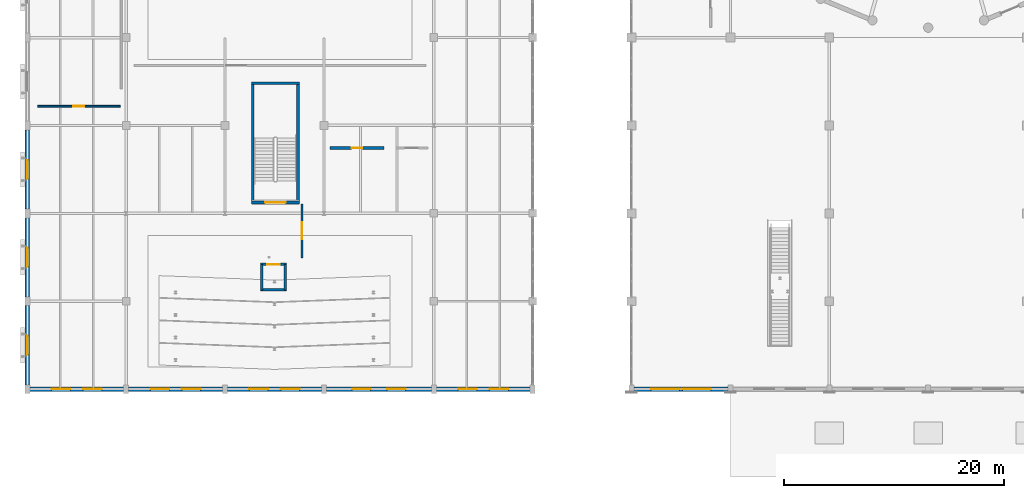
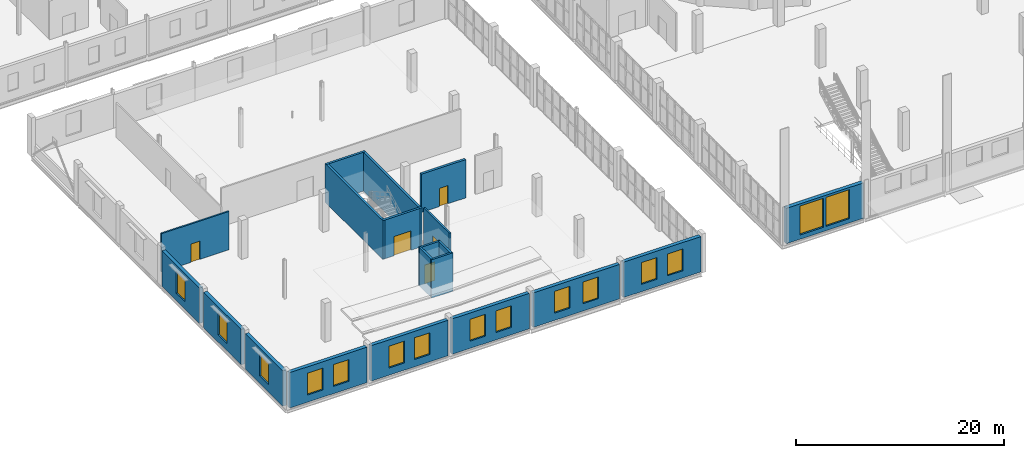
# One storey, part 68 of 93: 20 walls, 15 windows, 5 doors, 20 openings.
"""IFC4 building model written with IfcOpenShell, lengths in metres."""

import ifcopenshell
import ifcopenshell.guid

model = None  # the IFC model being written
_history = None  # IfcOwnerHistory: only IFC2X3 demands one
_inside = {}  # id of a spatial element -> (the spatial element, [elements in it])
_under = {}  # id of a project, library or spatial element -> (it, [spatial elements below it])
_declared = {}  # id of a project -> (the project, [libraries it declares])
_typed = {}  # id of a type object -> (the type object, [elements of that type])
_made_of = {}  # id of a material, layer set ... -> (it, [elements and type objects made of it])


def new_model(schema):
    """Start an empty IFC model of exactly this schema.

    Asked for "IFC4X3", IfcOpenShell would pick the latest addendum, in which some entities
    have other attributes; the version numbers below select the first issue.
    IFC2X3 requires an IfcOwnerHistory on every rooted entity: one is made here for all.
    """
    global model, _history
    if schema == "IFC4X3":
        model = ifcopenshell.file(schema_version=(4, 3, 0, 0))
    else:
        model = ifcopenshell.file(schema=schema)
    _inside.clear()
    _under.clear()
    _declared.clear()
    _typed.clear()
    _made_of.clear()
    _history = None
    if model.schema == "IFC2X3":
        org = make("IfcOrganization", Name="unknown")
        user = make(
            "IfcPersonAndOrganization",
            ThePerson=make("IfcPerson", FamilyName="unknown"),
            TheOrganization=org,
        )
        app = make(
            "IfcApplication",
            ApplicationDeveloper=org,
            Version="unknown",
            ApplicationFullName="unknown",
            ApplicationIdentifier="unknown",
        )
        _history = make(
            "IfcOwnerHistory",
            OwningUser=user,
            OwningApplication=app,
            ChangeAction="ADDED",
            CreationDate=0,
        )
    return model


def make(cls, **values):
    """One entity of the class cls with the attributes given. An attribute that is None is left unset."""
    return model.create_entity(
        cls, **{name: value for name, value in values.items() if value is not None}
    )


def rooted(cls, **values):
    """An entity with a GlobalId (a new one), such as an element, a storey or a relation."""
    return make(cls, GlobalId=ifcopenshell.guid.new(), OwnerHistory=_history, **values)


def si_unit(unit_type, name, prefix=None):
    """IfcSIUnit, for example si_unit("LENGTHUNIT", "METRE", prefix="MILLI")."""
    return make("IfcSIUnit", UnitType=unit_type, Prefix=prefix, Name=name)


def assignment(units):
    """IfcUnitAssignment: the units of a project."""
    return None if units is None else make("IfcUnitAssignment", Units=units)


def point(xyz):
    """IfcCartesianPoint."""
    return None if xyz is None else make("IfcCartesianPoint", Coordinates=xyz)


def direction(xyz):
    """IfcDirection."""
    return None if xyz is None else make("IfcDirection", DirectionRatios=xyz)


def frame(location, z_axis=None, x_axis=None):
    """IfcAxis2Placement3D, a coordinate frame: its origin and axes. An axis left out is left unset."""
    return make(
        "IfcAxis2Placement3D",
        Location=point(location),
        Axis=direction(z_axis),
        RefDirection=direction(x_axis),
    )


def frame_2d(location, x_axis=None):
    """IfcAxis2Placement2D, a coordinate frame in the plane: its origin and x axis."""
    return make(
        "IfcAxis2Placement2D", Location=point(location), RefDirection=direction(x_axis)
    )


def origin():
    """The frame at (0, 0, 0) with its axes left unset."""
    return frame((0.0, 0.0, 0.0))


def place(relative_to, where):
    """IfcLocalPlacement: puts the frame where relative to a parent placement (None: the world)."""
    return make(
        "IfcLocalPlacement", PlacementRelTo=relative_to, RelativePlacement=where
    )


def context(
    kind, dimensions, precision=None, world=None, true_north=None, identifier=None
):
    """IfcGeometricRepresentationContext, for example the 3D "Model" context."""
    return make(
        "IfcGeometricRepresentationContext",
        ContextIdentifier=identifier,
        ContextType=kind,
        CoordinateSpaceDimension=dimensions,
        Precision=precision,
        WorldCoordinateSystem=world,
        TrueNorth=true_north,
    )


def subcontext(parent, identifier, kind, view, scale=None):
    """IfcGeometricRepresentationSubContext, for example "Body" below "Model"."""
    return make(
        "IfcGeometricRepresentationSubContext",
        ContextIdentifier=identifier,
        ContextType=kind,
        ParentContext=parent,
        TargetScale=scale,
        TargetView=view,
    )


def project(units=None, contexts=None):
    """IfcProject with its units and contexts."""
    return rooted(
        "IfcProject",
        Name="project",
        RepresentationContexts=contexts,
        UnitsInContext=assignment(units),
    )


def spatial(cls, under=None, at=None, **own):
    """A site, building, storey or space (cls), placed at a placement, below another one or the project."""
    s = rooted(cls, ObjectPlacement=at, **own)
    if under is not None:
        _under.setdefault(under.id(), (under, []))[1].append(s)
    return s


def profile(cls, at=None, kind="AREA", **sizes):
    """A parametric profile (cls). Its sizes go by their IFC names, for example OverallWidth=200.0."""
    return make(cls, ProfileType=kind, Position=at, **sizes)


def rectangle(**sizes):
    """IfcRectangleProfileDef."""
    return profile("IfcRectangleProfileDef", **sizes)


def extrude(swept, where, along, depth):
    """IfcExtrudedAreaSolid: the profile swept, set in the frame where, extruded along a direction by depth."""
    return make(
        "IfcExtrudedAreaSolid",
        SweptArea=swept,
        Position=where,
        ExtrudedDirection=direction(along),
        Depth=depth,
    )


def shape(context_of_items, identifier, shape_type, items):
    """IfcShapeRepresentation: the items that make up one representation, for example the "Body"."""
    return make(
        "IfcShapeRepresentation",
        ContextOfItems=context_of_items,
        RepresentationIdentifier=identifier,
        RepresentationType=shape_type,
        Items=items,
    )


def material(Name=None, Category=None):
    """IfcMaterial."""
    return make("IfcMaterial", Name=Name, Category=Category)


def layer(
    of_material, thickness, ventilated=None, Name=None, Category=None, Priority=None
):
    """IfcMaterialLayer: one layer of a wall or slab, of a material (None: an air gap)."""
    return make(
        "IfcMaterialLayer",
        Material=of_material,
        LayerThickness=thickness,
        IsVentilated=ventilated,
        Name=Name,
        Category=Category,
        Priority=Priority,
    )


def layer_set(layers, Name=None):
    """IfcMaterialLayerSet."""
    return make("IfcMaterialLayerSet", MaterialLayers=layers, LayerSetName=Name)


def made_of(thing, what):
    """Note that an element or type object is made of a material, layer set ...; save() writes the relation."""
    if what is not None:
        _made_of.setdefault(what.id(), (what, []))[1].append(thing)
    return thing


def type_object(cls, material=None, **own):
    """A type object (cls), such as IfcWallType, which elements share."""
    return made_of(rooted(cls, **own), material)


def element(
    cls,
    number,
    at=None,
    inside=None,
    cuts=None,
    type_object=None,
    material=None,
    context=None,
    identifier="Body",
    shape_type=None,
    held_by="IfcProductDefinitionShape",
    body=None,
    shapes=None,
    **own,
):
    """One element of the class cls, such as IfcWall. Its Tag is "e" and its number.

    at: its placement. inside: the storey or other place that contains it. cuts: it is an
    opening in that element (IfcRelVoidsElement). A single representation is given by context,
    identifier, shape_type and body (its items); several are given by shapes. held_by: the class
    of the entity that holds the representations. save() writes the other relations.
    """
    e = rooted(cls, Tag="e%d" % number, ObjectPlacement=at, **own)
    if body is not None:
        shapes = [shape(context, identifier, shape_type, body)]
    if shapes is not None:
        e.Representation = make(held_by, Representations=shapes)
    if inside is not None:
        _inside.setdefault(inside.id(), (inside, []))[1].append(e)
    if cuts is not None:
        rooted(
            "IfcRelVoidsElement", RelatingBuildingElement=cuts, RelatedOpeningElement=e
        )
    if type_object is not None:
        _typed.setdefault(type_object.id(), (type_object, []))[1].append(e)
    return made_of(e, material)


def fill(opening, filler):
    """IfcRelFillsElement: the door or window that sits in an opening."""
    return rooted(
        "IfcRelFillsElement",
        RelatingOpeningElement=opening,
        RelatedBuildingElement=filler,
    )


def aggregate(whole, parts):
    """IfcRelAggregates: a whole, such as a stair, and the parts it consists of."""
    return rooted("IfcRelAggregates", RelatingObject=whole, RelatedObjects=parts)


def save(model, path):
    """Write the relations noted so far, then the file.

    IfcRelAggregates (storeys below a building ...), IfcRelContainedInSpatialStructure (elements
    in a storey), IfcRelDefinesByType, IfcRelAssociatesMaterial and IfcRelDeclares: one each for
    every whole, place, type object, material and project.
    """
    for whole, parts in _under.values():
        aggregate(whole, parts)
    for where, things in _inside.values():
        rooted(
            "IfcRelContainedInSpatialStructure",
            RelatedElements=things,
            RelatingStructure=where,
        )
    for kind, things in _typed.values():
        rooted("IfcRelDefinesByType", RelatedObjects=things, RelatingType=kind)
    for what, things in _made_of.values():
        rooted("IfcRelAssociatesMaterial", RelatedObjects=things, RelatingMaterial=what)
    for by, libraries in _declared.values():
        rooted("IfcRelDeclares", RelatingContext=by, RelatedDefinitions=libraries)
    model.write(path)


model = new_model("IFC4")

# Units and contexts
model_context = context("Model", 3, precision=1e-05, world=origin(), true_north=direction((0.0, 1.0)))
body_context = subcontext(model_context, "Body", "Model", "MODEL_VIEW")
ifc_project = project(units=[si_unit("LENGTHUNIT", "METRE"), si_unit("AREAUNIT", "SQUARE_METRE"), si_unit("VOLUMEUNIT", "CUBIC_METRE"), si_unit("PLANEANGLEUNIT", "RADIAN"), si_unit("MASSUNIT", "GRAM", prefix="KILO")], contexts=[model_context])

# Site, building, storey
site_placement = place(None, origin())
site = spatial("IfcSite", under=ifc_project, at=site_placement, CompositionType="ELEMENT")
building_placement = place(site_placement, origin())
building = spatial("IfcBuilding", under=site, at=building_placement, Name="Marnock Terrace Opera House", CompositionType="ELEMENT")
storey_placement = place(building_placement, frame((0.0, 0.0, 5.39990234375)))
storey = spatial("IfcBuildingStorey", under=building, at=storey_placement, Name="L01", CompositionType="ELEMENT", Elevation=5.39990234375)

# Wall, openings, windows
ifc_material_1 = material(Name="Basket Range sandstone ashlar masonry", Category="masonry")
ifc_layer_1 = layer(ifc_material_1, 0.389892578125)
ifc_layer_set_1 = layer_set([ifc_layer_1], Name="Basket Range sandstone ashlar masonry")
wall_type_1 = type_object("IfcWallType", Name="EW-ASHLAR-390", PredefinedType="SOLIDWALL", material=ifc_layer_set_1)
wall_1_placement = place(storey_placement, frame((0.220947265625, 8.0, 0.0), z_axis=(0.0, 0.0, 1.0), x_axis=(1.0, 0.0, 0.0)))
wall_1 = element("IfcWall", 1, at=wall_1_placement, inside=storey, type_object=wall_type_1, Name="L01 Volume 3 south sandstone wall 1", PredefinedType="SOLIDWALL", context=body_context, shape_type="SweptSolid", body=[
    extrude(rectangle(XDim=8.55810546875, YDim=0.389892578125, at=frame_2d((4.279052734375, 0.0))), origin(), (0.0, 0.0, 1.0), 4.151611328125),
])
opening_1_placement = place(wall_1_placement, frame((2.002685546875, 0.0, 0.85009765625)))
opening_1 = element("IfcOpeningElement", 2, at=opening_1_placement, cuts=wall_1, Name="Opening WT-108", PredefinedType="OPENING", context=body_context, shape_type="SweptSolid", body=[
    extrude(rectangle(XDim=1.699951171875, YDim=2.550048828125, at=frame_2d((0.85009765625, 1.27490234375))), frame((0.0, 0.204833984375, 0.0), z_axis=(0.0, -1.0, 0.0), x_axis=(1.0, 0.0, 0.0)), (0.0, 0.0, 1.0), 0.409912109375),
])
opening_2_placement = place(wall_1_placement, frame((4.855224609375, 0.0, 0.85009765625)))
opening_2 = element("IfcOpeningElement", 3, at=opening_2_placement, cuts=wall_1, Name="Opening WT-108", PredefinedType="OPENING", context=body_context, shape_type="SweptSolid", body=[
    extrude(rectangle(XDim=1.699951171875, YDim=2.550048828125, at=frame_2d((0.85009765625, 1.27490234375))), frame((0.0, 0.204833984375, 0.0), z_axis=(0.0, -1.0, 0.0), x_axis=(1.0, 0.0, 0.0)), (0.0, 0.0, 1.0), 0.409912109375),
])
ifc_material_2 = material(Name="Double-glazed acoustic low-E laminated glass", Category="glass")
window_type_1 = type_object("IfcWindowType", Name="WT-PIER-1700", PartitioningType="SINGLE_PANEL", PredefinedType="WINDOW", material=ifc_material_2)
window_1_placement = place(opening_1_placement, origin())
window_1 = element("IfcWindow", 4, at=window_1_placement, inside=storey, type_object=window_type_1, Name="L01 facade window EW-V3S-L01-1.1", OverallHeight=2.550048828125, OverallWidth=1.699951171875, PartitioningType="SINGLE_PANEL", PredefinedType="WINDOW", context=body_context, shape_type="SweptSolid", body=[
    extrude(rectangle(XDim=1.699951171875, YDim=2.550048828125, at=frame_2d((0.85009765625, 1.27490234375))), frame((0.0, 0.030029296875, 0.0), z_axis=(0.0, -1.0, 0.0), x_axis=(1.0, 0.0, 0.0)), (0.0, 0.0, 1.0), 0.06005859375),
])
fill(opening_1, window_1)
window_2_placement = place(opening_2_placement, origin())
window_2 = element("IfcWindow", 5, at=window_2_placement, inside=storey, type_object=window_type_1, Name="L01 facade window EW-V3S-L01-1.2", OverallHeight=2.550048828125, OverallWidth=1.699951171875, PartitioningType="SINGLE_PANEL", PredefinedType="WINDOW", context=body_context, shape_type="SweptSolid", body=[
    extrude(rectangle(XDim=1.699951171875, YDim=2.550048828125, at=frame_2d((0.85009765625, 1.27490234375))), frame((0.0, 0.030029296875, 0.0), z_axis=(0.0, -1.0, 0.0), x_axis=(1.0, 0.0, 0.0)), (0.0, 0.0, 1.0), 0.06005859375),
])
fill(opening_2, window_2)

wall_2_placement = place(storey_placement, frame((9.220947265625, 8.0, 0.0), z_axis=(0.0, 0.0, 1.0), x_axis=(1.0, 0.0, 0.0)))
wall_2 = element("IfcWall", 6, at=wall_2_placement, inside=storey, type_object=wall_type_1, Name="L01 Volume 3 south sandstone wall 2", PredefinedType="SOLIDWALL", context=body_context, shape_type="SweptSolid", body=[
    extrude(rectangle(XDim=8.55810546875, YDim=0.389892578125, at=frame_2d((4.279052734375, 0.0))), origin(), (0.0, 0.0, 1.0), 4.151611328125),
])
opening_3_placement = place(wall_2_placement, frame((2.002685546875, 0.0, 0.85009765625)))
opening_3 = element("IfcOpeningElement", 7, at=opening_3_placement, cuts=wall_2, Name="Opening WT-108", PredefinedType="OPENING", context=body_context, shape_type="SweptSolid", body=[
    extrude(rectangle(XDim=1.699951171875, YDim=2.550048828125, at=frame_2d((0.85009765625, 1.27490234375))), frame((0.0, 0.204833984375, 0.0), z_axis=(0.0, -1.0, 0.0), x_axis=(1.0, 0.0, 0.0)), (0.0, 0.0, 1.0), 0.409912109375),
])
opening_4_placement = place(wall_2_placement, frame((4.855224609375, 0.0, 0.85009765625)))
opening_4 = element("IfcOpeningElement", 8, at=opening_4_placement, cuts=wall_2, Name="Opening WT-108", PredefinedType="OPENING", context=body_context, shape_type="SweptSolid", body=[
    extrude(rectangle(XDim=1.699951171875, YDim=2.550048828125, at=frame_2d((0.85009765625, 1.27490234375))), frame((0.0, 0.204833984375, 0.0), z_axis=(0.0, -1.0, 0.0), x_axis=(1.0, 0.0, 0.0)), (0.0, 0.0, 1.0), 0.409912109375),
])
window_3_placement = place(opening_3_placement, origin())
window_3 = element("IfcWindow", 9, at=window_3_placement, inside=storey, type_object=window_type_1, Name="L01 facade window EW-V3S-L01-2.1", OverallHeight=2.550048828125, OverallWidth=1.699951171875, PartitioningType="SINGLE_PANEL", PredefinedType="WINDOW", context=body_context, shape_type="SweptSolid", body=[
    extrude(rectangle(XDim=1.699951171875, YDim=2.550048828125, at=frame_2d((0.85009765625, 1.27490234375))), frame((0.0, 0.030029296875, 0.0), z_axis=(0.0, -1.0, 0.0), x_axis=(1.0, 0.0, 0.0)), (0.0, 0.0, 1.0), 0.06005859375),
])
fill(opening_3, window_3)
window_4_placement = place(opening_4_placement, origin())
window_4 = element("IfcWindow", 10, at=window_4_placement, inside=storey, type_object=window_type_1, Name="L01 facade window EW-V3S-L01-2.2", OverallHeight=2.550048828125, OverallWidth=1.699951171875, PartitioningType="SINGLE_PANEL", PredefinedType="WINDOW", context=body_context, shape_type="SweptSolid", body=[
    extrude(rectangle(XDim=1.699951171875, YDim=2.550048828125, at=frame_2d((0.85009765625, 1.27490234375))), frame((0.0, 0.030029296875, 0.0), z_axis=(0.0, -1.0, 0.0), x_axis=(1.0, 0.0, 0.0)), (0.0, 0.0, 1.0), 0.06005859375),
])
fill(opening_4, window_4)

wall_3_placement = place(storey_placement, frame((18.220947265625, 8.0, 0.0), z_axis=(0.0, 0.0, 1.0), x_axis=(1.0, 0.0, 0.0)))
wall_3 = element("IfcWall", 11, at=wall_3_placement, inside=storey, type_object=wall_type_1, Name="L01 Volume 3 south sandstone wall 3", PredefinedType="SOLIDWALL", context=body_context, shape_type="SweptSolid", body=[
    extrude(rectangle(XDim=8.55810546875, YDim=0.389892578125, at=frame_2d((4.279052734375, 0.0))), origin(), (0.0, 0.0, 1.0), 4.151611328125),
])
opening_5_placement = place(wall_3_placement, frame((2.002685546875, 0.0, 0.85009765625)))
opening_5 = element("IfcOpeningElement", 12, at=opening_5_placement, cuts=wall_3, Name="Opening WT-108", PredefinedType="OPENING", context=body_context, shape_type="SweptSolid", body=[
    extrude(rectangle(XDim=1.699951171875, YDim=2.550048828125, at=frame_2d((0.85009765625, 1.27490234375))), frame((0.0, 0.204833984375, 0.0), z_axis=(0.0, -1.0, 0.0), x_axis=(1.0, 0.0, 0.0)), (0.0, 0.0, 1.0), 0.409912109375),
])
opening_6_placement = place(wall_3_placement, frame((4.855224609375, 0.0, 0.85009765625)))
opening_6 = element("IfcOpeningElement", 13, at=opening_6_placement, cuts=wall_3, Name="Opening WT-108", PredefinedType="OPENING", context=body_context, shape_type="SweptSolid", body=[
    extrude(rectangle(XDim=1.699951171875, YDim=2.550048828125, at=frame_2d((0.85009765625, 1.27490234375))), frame((0.0, 0.204833984375, 0.0), z_axis=(0.0, -1.0, 0.0), x_axis=(1.0, 0.0, 0.0)), (0.0, 0.0, 1.0), 0.409912109375),
])
window_5_placement = place(opening_5_placement, origin())
window_5 = element("IfcWindow", 14, at=window_5_placement, inside=storey, type_object=window_type_1, Name="L01 facade window EW-V3S-L01-3.1", OverallHeight=2.550048828125, OverallWidth=1.699951171875, PartitioningType="SINGLE_PANEL", PredefinedType="WINDOW", context=body_context, shape_type="SweptSolid", body=[
    extrude(rectangle(XDim=1.699951171875, YDim=2.550048828125, at=frame_2d((0.85009765625, 1.27490234375))), frame((0.0, 0.030029296875, 0.0), z_axis=(0.0, -1.0, 0.0), x_axis=(1.0, 0.0, 0.0)), (0.0, 0.0, 1.0), 0.06005859375),
])
fill(opening_5, window_5)
window_6_placement = place(opening_6_placement, origin())
window_6 = element("IfcWindow", 15, at=window_6_placement, inside=storey, type_object=window_type_1, Name="L01 facade window EW-V3S-L01-3.2", OverallHeight=2.550048828125, OverallWidth=1.699951171875, PartitioningType="SINGLE_PANEL", PredefinedType="WINDOW", context=body_context, shape_type="SweptSolid", body=[
    extrude(rectangle(XDim=1.699951171875, YDim=2.550048828125, at=frame_2d((0.85009765625, 1.27490234375))), frame((0.0, 0.030029296875, 0.0), z_axis=(0.0, -1.0, 0.0), x_axis=(1.0, 0.0, 0.0)), (0.0, 0.0, 1.0), 0.06005859375),
])
fill(opening_6, window_6)

wall_4_placement = place(storey_placement, frame((27.220947265625, 8.0, 0.0), z_axis=(0.0, 0.0, 1.0), x_axis=(1.0, 0.0, 0.0)))
wall_4 = element("IfcWall", 16, at=wall_4_placement, inside=storey, type_object=wall_type_1, Name="L01 Volume 3 south sandstone wall 4", PredefinedType="SOLIDWALL", context=body_context, shape_type="SweptSolid", body=[
    extrude(rectangle(XDim=9.55810546875, YDim=0.389892578125, at=frame_2d((4.779052734375, 0.0))), origin(), (0.0, 0.0, 1.0), 4.0498046875),
])
opening_7_placement = place(wall_4_placement, frame((2.3359375, 0.0, 0.85009765625)))
opening_7 = element("IfcOpeningElement", 17, at=opening_7_placement, cuts=wall_4, Name="Opening WT-108", PredefinedType="OPENING", context=body_context, shape_type="SweptSolid", body=[
    extrude(rectangle(XDim=1.699951171875, YDim=2.550048828125, at=frame_2d((0.85009765625, 1.27490234375))), frame((0.0, 0.204833984375, 0.0), z_axis=(0.0, -1.0, 0.0), x_axis=(1.0, 0.0, 0.0)), (0.0, 0.0, 1.0), 0.409912109375),
])
opening_8_placement = place(wall_4_placement, frame((5.52197265625, 0.0, 0.85009765625)))
opening_8 = element("IfcOpeningElement", 18, at=opening_8_placement, cuts=wall_4, Name="Opening WT-108", PredefinedType="OPENING", context=body_context, shape_type="SweptSolid", body=[
    extrude(rectangle(XDim=1.699951171875, YDim=2.550048828125, at=frame_2d((0.85009765625, 1.27490234375))), frame((0.0, 0.204833984375, 0.0), z_axis=(0.0, -1.0, 0.0), x_axis=(1.0, 0.0, 0.0)), (0.0, 0.0, 1.0), 0.409912109375),
])
window_7_placement = place(opening_7_placement, origin())
window_7 = element("IfcWindow", 19, at=window_7_placement, inside=storey, type_object=window_type_1, Name="L01 facade window EW-V3S-L01-4.1", OverallHeight=2.550048828125, OverallWidth=1.699951171875, PartitioningType="SINGLE_PANEL", PredefinedType="WINDOW", context=body_context, shape_type="SweptSolid", body=[
    extrude(rectangle(XDim=1.699951171875, YDim=2.550048828125, at=frame_2d((0.85009765625, 1.27490234375))), frame((0.0, 0.030029296875, 0.0), z_axis=(0.0, -1.0, 0.0), x_axis=(1.0, 0.0, 0.0)), (0.0, 0.0, 1.0), 0.06005859375),
])
fill(opening_7, window_7)
window_8_placement = place(opening_8_placement, origin())
window_8 = element("IfcWindow", 20, at=window_8_placement, inside=storey, type_object=window_type_1, Name="L01 facade window EW-V3S-L01-4.2", OverallHeight=2.550048828125, OverallWidth=1.699951171875, PartitioningType="SINGLE_PANEL", PredefinedType="WINDOW", context=body_context, shape_type="SweptSolid", body=[
    extrude(rectangle(XDim=1.699951171875, YDim=2.550048828125, at=frame_2d((0.85009765625, 1.27490234375))), frame((0.0, 0.030029296875, 0.0), z_axis=(0.0, -1.0, 0.0), x_axis=(1.0, 0.0, 0.0)), (0.0, 0.0, 1.0), 0.06005859375),
])
fill(opening_8, window_8)

wall_5_placement = place(storey_placement, frame((37.220947265625, 8.0, 0.0), z_axis=(0.0, 0.0, 1.0), x_axis=(1.0, 0.0, 0.0)))
wall_5 = element("IfcWall", 21, at=wall_5_placement, inside=storey, type_object=wall_type_1, Name="L01 Volume 3 south sandstone wall 5", PredefinedType="SOLIDWALL", context=body_context, shape_type="SweptSolid", body=[
    extrude(rectangle(XDim=8.55810546875, YDim=0.389892578125, at=frame_2d((4.279052734375, 0.0))), origin(), (0.0, 0.0, 1.0), 4.151611328125),
])
opening_9_placement = place(wall_5_placement, frame((2.002685546875, 0.0, 0.85009765625)))
opening_9 = element("IfcOpeningElement", 22, at=opening_9_placement, cuts=wall_5, Name="Opening WT-108", PredefinedType="OPENING", context=body_context, shape_type="SweptSolid", body=[
    extrude(rectangle(XDim=1.699951171875, YDim=2.550048828125, at=frame_2d((0.85009765625, 1.27490234375))), frame((0.0, 0.204833984375, 0.0), z_axis=(0.0, -1.0, 0.0), x_axis=(1.0, 0.0, 0.0)), (0.0, 0.0, 1.0), 0.409912109375),
])
opening_10_placement = place(wall_5_placement, frame((4.855224609375, 0.0, 0.85009765625)))
opening_10 = element("IfcOpeningElement", 23, at=opening_10_placement, cuts=wall_5, Name="Opening WT-108", PredefinedType="OPENING", context=body_context, shape_type="SweptSolid", body=[
    extrude(rectangle(XDim=1.699951171875, YDim=2.550048828125, at=frame_2d((0.85009765625, 1.27490234375))), frame((0.0, 0.204833984375, 0.0), z_axis=(0.0, -1.0, 0.0), x_axis=(1.0, 0.0, 0.0)), (0.0, 0.0, 1.0), 0.409912109375),
])
window_9_placement = place(opening_9_placement, origin())
window_9 = element("IfcWindow", 24, at=window_9_placement, inside=storey, type_object=window_type_1, Name="L01 facade window EW-V3S-L01-5.1", OverallHeight=2.550048828125, OverallWidth=1.699951171875, PartitioningType="SINGLE_PANEL", PredefinedType="WINDOW", context=body_context, shape_type="SweptSolid", body=[
    extrude(rectangle(XDim=1.699951171875, YDim=2.550048828125, at=frame_2d((0.85009765625, 1.27490234375))), frame((0.0, 0.030029296875, 0.0), z_axis=(0.0, -1.0, 0.0), x_axis=(1.0, 0.0, 0.0)), (0.0, 0.0, 1.0), 0.06005859375),
])
fill(opening_9, window_9)
window_10_placement = place(opening_10_placement, origin())
window_10 = element("IfcWindow", 25, at=window_10_placement, inside=storey, type_object=window_type_1, Name="L01 facade window EW-V3S-L01-5.2", OverallHeight=2.550048828125, OverallWidth=1.699951171875, PartitioningType="SINGLE_PANEL", PredefinedType="WINDOW", context=body_context, shape_type="SweptSolid", body=[
    extrude(rectangle(XDim=1.699951171875, YDim=2.550048828125, at=frame_2d((0.85009765625, 1.27490234375))), frame((0.0, 0.030029296875, 0.0), z_axis=(0.0, -1.0, 0.0), x_axis=(1.0, 0.0, 0.0)), (0.0, 0.0, 1.0), 0.06005859375),
])
fill(opening_10, window_10)

# Wall, opening, window
wall_6_placement = place(storey_placement, frame((0.0, 8.39599609375, 0.0), z_axis=(0.0, 0.0, 1.0), x_axis=(0.0, 1.0, 0.0)))
wall_6 = element("IfcWall", 26, at=wall_6_placement, inside=storey, type_object=wall_type_1, Name="L01 Volume 3 west sandstone wall 1", PredefinedType="SOLIDWALL", context=body_context, shape_type="SweptSolid", body=[
    extrude(rectangle(XDim=7.2080078125, YDim=0.389892578125, at=frame_2d((3.60400390625, 0.0))), origin(), (0.0, 0.0, 1.0), 4.151611328125),
])
opening_11_placement = place(wall_6_placement, frame((2.75390625, 0.0, 0.85009765625)))
opening_11 = element("IfcOpeningElement", 27, at=opening_11_placement, cuts=wall_6, Name="Opening WT-108", PredefinedType="OPENING", context=body_context, shape_type="SweptSolid", body=[
    extrude(rectangle(XDim=1.699951171875, YDim=2.550048828125, at=frame_2d((0.85009765625, 1.27490234375))), frame((0.0, 0.204833984375, 0.0), z_axis=(0.0, -1.0, 0.0), x_axis=(1.0, 0.0, 0.0)), (0.0, 0.0, 1.0), 0.409912109375),
])
window_11_placement = place(opening_11_placement, origin())
window_11 = element("IfcWindow", 28, at=window_11_placement, inside=storey, type_object=window_type_1, Name="L01 facade window EW-V3W-L01-1.1", OverallHeight=2.550048828125, OverallWidth=1.699951171875, PartitioningType="SINGLE_PANEL", PredefinedType="WINDOW", context=body_context, shape_type="SweptSolid", body=[
    extrude(rectangle(XDim=1.699951171875, YDim=2.550048828125, at=frame_2d((0.85009765625, 1.27490234375))), frame((0.0, 0.030029296875, 0.0), z_axis=(0.0, -1.0, 0.0), x_axis=(1.0, 0.0, 0.0)), (0.0, 0.0, 1.0), 0.06005859375),
])
fill(opening_11, window_11)

wall_7_placement = place(storey_placement, frame((0.0, 16.39599609375, 0.0), z_axis=(0.0, 0.0, 1.0), x_axis=(0.0, 1.0, 0.0)))
wall_7 = element("IfcWall", 29, at=wall_7_placement, inside=storey, type_object=wall_type_1, Name="L01 Volume 3 west sandstone wall 2", PredefinedType="SOLIDWALL", context=body_context, shape_type="SweptSolid", body=[
    extrude(rectangle(XDim=7.2080078125, YDim=0.389892578125, at=frame_2d((3.60400390625, 0.0))), origin(), (0.0, 0.0, 1.0), 4.151611328125),
])
opening_12_placement = place(wall_7_placement, frame((2.75390625, 0.0, 0.85009765625)))
opening_12 = element("IfcOpeningElement", 30, at=opening_12_placement, cuts=wall_7, Name="Opening WT-108", PredefinedType="OPENING", context=body_context, shape_type="SweptSolid", body=[
    extrude(rectangle(XDim=1.699951171875, YDim=2.550048828125, at=frame_2d((0.85009765625, 1.27490234375))), frame((0.0, 0.204833984375, 0.0), z_axis=(0.0, -1.0, 0.0), x_axis=(1.0, 0.0, 0.0)), (0.0, 0.0, 1.0), 0.409912109375),
])
window_12_placement = place(opening_12_placement, origin())
window_12 = element("IfcWindow", 31, at=window_12_placement, inside=storey, type_object=window_type_1, Name="L01 facade window EW-V3W-L01-2.1", OverallHeight=2.550048828125, OverallWidth=1.699951171875, PartitioningType="SINGLE_PANEL", PredefinedType="WINDOW", context=body_context, shape_type="SweptSolid", body=[
    extrude(rectangle(XDim=1.699951171875, YDim=2.550048828125, at=frame_2d((0.85009765625, 1.27490234375))), frame((0.0, 0.030029296875, 0.0), z_axis=(0.0, -1.0, 0.0), x_axis=(1.0, 0.0, 0.0)), (0.0, 0.0, 1.0), 0.06005859375),
])
fill(opening_12, window_12)

wall_8_placement = place(storey_placement, frame((0.0, 24.39599609375, 0.0), z_axis=(0.0, 0.0, 1.0), x_axis=(0.0, 1.0, 0.0)))
wall_8 = element("IfcWall", 32, at=wall_8_placement, inside=storey, type_object=wall_type_1, Name="L01 Volume 3 west sandstone wall 3", PredefinedType="SOLIDWALL", context=body_context, shape_type="SweptSolid", body=[
    extrude(rectangle(XDim=7.2080078125, YDim=0.389892578125, at=frame_2d((3.60400390625, 0.0))), origin(), (0.0, 0.0, 1.0), 4.151611328125),
])
opening_13_placement = place(wall_8_placement, frame((2.75390625, 0.0, 0.85009765625)))
opening_13 = element("IfcOpeningElement", 33, at=opening_13_placement, cuts=wall_8, Name="Opening WT-108", PredefinedType="OPENING", context=body_context, shape_type="SweptSolid", body=[
    extrude(rectangle(XDim=1.699951171875, YDim=2.550048828125, at=frame_2d((0.85009765625, 1.27490234375))), frame((0.0, 0.204833984375, 0.0), z_axis=(0.0, -1.0, 0.0), x_axis=(1.0, 0.0, 0.0)), (0.0, 0.0, 1.0), 0.409912109375),
])
window_13_placement = place(opening_13_placement, origin())
window_13 = element("IfcWindow", 34, at=window_13_placement, inside=storey, type_object=window_type_1, Name="L01 facade window EW-V3W-L01-3.1", OverallHeight=2.550048828125, OverallWidth=1.699951171875, PartitioningType="SINGLE_PANEL", PredefinedType="WINDOW", context=body_context, shape_type="SweptSolid", body=[
    extrude(rectangle(XDim=1.699951171875, YDim=2.550048828125, at=frame_2d((0.85009765625, 1.27490234375))), frame((0.0, 0.030029296875, 0.0), z_axis=(0.0, -1.0, 0.0), x_axis=(1.0, 0.0, 0.0)), (0.0, 0.0, 1.0), 0.06005859375),
])
fill(opening_13, window_13)

# Wall, openings, windows
ifc_layer_2 = layer(ifc_material_1, 0.429931640625)
ifc_layer_set_2 = layer_set([ifc_layer_2], Name="Basket Range sandstone ashlar masonry")
wall_type_2 = type_object("IfcWallType", Name="EW-ASHLAR-430", PredefinedType="SOLIDWALL", material=ifc_layer_set_2)
wall_9_placement = place(storey_placement, frame((55.220947265625, 8.0, 0.0), z_axis=(0.0, 0.0, 1.0), x_axis=(1.0, 0.0, 0.0)))
wall_9 = element("IfcWall", 35, at=wall_9_placement, inside=storey, type_object=wall_type_2, Name="L01 Grand Hall south sandstone arcade bay 1", PredefinedType="SOLIDWALL", context=body_context, shape_type="SweptSolid", body=[
    extrude(rectangle(XDim=8.55810546875, YDim=0.429931640625, at=frame_2d((4.279052734375, 0.0))), origin(), (0.0, 0.0, 1.0), 4.151611328125),
])
opening_14_placement = place(wall_9_placement, frame((1.552734375, 0.0, 0.5009765625)))
opening_14 = element("IfcOpeningElement", 36, at=opening_14_placement, cuts=wall_9, Name="Opening WT-111", PredefinedType="OPENING", context=body_context, shape_type="SweptSolid", body=[
    extrude(rectangle(XDim=2.60009765625, YDim=3.39990234375, at=frame_2d((1.300048828125, 1.699951171875))), frame((0.0, 0.224853515625, 0.0), z_axis=(0.0, -1.0, 0.0), x_axis=(1.0, 0.0, 0.0)), (0.0, 0.0, 1.0), 0.449951171875),
])
opening_15_placement = place(wall_9_placement, frame((4.4052734375, 0.0, 0.5009765625)))
opening_15 = element("IfcOpeningElement", 37, at=opening_15_placement, cuts=wall_9, Name="Opening WT-111", PredefinedType="OPENING", context=body_context, shape_type="SweptSolid", body=[
    extrude(rectangle(XDim=2.60009765625, YDim=3.39990234375, at=frame_2d((1.300048828125, 1.699951171875))), frame((0.0, 0.224853515625, 0.0), z_axis=(0.0, -1.0, 0.0), x_axis=(1.0, 0.0, 0.0)), (0.0, 0.0, 1.0), 0.449951171875),
])
window_type_2 = type_object("IfcWindowType", Name="WT-COLOSSAL-2600", PartitioningType="DOUBLE_PANEL_VERTICAL", PredefinedType="WINDOW", material=ifc_material_2)
window_14_placement = place(opening_14_placement, origin())
window_14 = element("IfcWindow", 38, at=window_14_placement, inside=storey, type_object=window_type_2, Name="L01 facade window EW-V1S-L01-1.1", OverallHeight=3.39990234375, OverallWidth=2.60009765625, PartitioningType="SINGLE_PANEL", PredefinedType="WINDOW", context=body_context, shape_type="SweptSolid", body=[
    extrude(rectangle(XDim=2.60009765625, YDim=3.39990234375, at=frame_2d((1.300048828125, 1.699951171875))), frame((0.0, 0.030029296875, 0.0), z_axis=(0.0, -1.0, 0.0), x_axis=(1.0, 0.0, 0.0)), (0.0, 0.0, 1.0), 0.06005859375),
])
fill(opening_14, window_14)
window_15_placement = place(opening_15_placement, origin())
window_15 = element("IfcWindow", 39, at=window_15_placement, inside=storey, type_object=window_type_2, Name="L01 facade window EW-V1S-L01-1.2", OverallHeight=3.39990234375, OverallWidth=2.60009765625, PartitioningType="SINGLE_PANEL", PredefinedType="WINDOW", context=body_context, shape_type="SweptSolid", body=[
    extrude(rectangle(XDim=2.60009765625, YDim=3.39990234375, at=frame_2d((1.300048828125, 1.699951171875))), frame((0.0, 0.030029296875, 0.0), z_axis=(0.0, -1.0, 0.0), x_axis=(1.0, 0.0, 0.0)), (0.0, 0.0, 1.0), 0.06005859375),
])
fill(opening_15, window_15)

# Wall, opening, door
ifc_material_3 = material(Name="Rendered acoustic concrete blockwork", Category="masonry")
ifc_layer_3 = layer(ifc_material_3, 0.175048828125)
ifc_layer_set_3 = layer_set([ifc_layer_3], Name="Rendered acoustic concrete blockwork")
wall_type_3 = type_object("IfcWallType", Name="IW-FIRE-175", PredefinedType="PARTITIONING", material=ifc_layer_set_3)
wall_10_placement = place(storey_placement, frame((25.0, 19.949951171875, 0.0), z_axis=(0.0, 0.0, 1.0), x_axis=(0.0, 1.0, 0.0)))
wall_10 = element("IfcWall", 40, at=wall_10_placement, inside=storey, type_object=wall_type_3, Name="L01 C5 fire-rated lift and stair lobby wall", PredefinedType="PARTITIONING", context=body_context, shape_type="SweptSolid", body=[
    extrude(rectangle(XDim=4.900146484375, YDim=0.175048828125, at=frame_2d((2.4501953125, 0.0))), origin(), (0.0, 0.0, 1.0), 4.489990234375),
])
opening_16_placement = place(wall_10_placement, frame((1.675048828125, 0.0, 0.0)))
opening_16 = element("IfcOpeningElement", 41, at=opening_16_placement, cuts=wall_10, Name="Opening FD-C5-L01", PredefinedType="OPENING", context=body_context, shape_type="SweptSolid", body=[
    extrude(rectangle(XDim=1.550048828125, YDim=2.219970703125, at=frame_2d((0.77490234375, 1.10986328125))), frame((0.0, 0.097412109375, 0.0), z_axis=(0.0, -1.0, 0.0), x_axis=(1.0, 0.0, 0.0)), (0.0, 0.0, 1.0), 0.195068359375),
])
ifc_material_4 = material(Name="Fire-rated acoustic timber-core door assembly", Category="wood")
door_type_1 = type_object("IfcDoorType", Name="DT-LOBBY-1550", OperationType="NOTDEFINED", PredefinedType="DOOR", material=ifc_material_4)
door_1_placement = place(opening_16_placement, origin())
door_1 = element("IfcDoor", 42, at=door_1_placement, inside=storey, type_object=door_type_1, Name="L01 C5 lobby self-closing smoke door", OperationType="SINGLE_SWING_RIGHT", OverallHeight=2.219970703125, OverallWidth=1.550048828125, PredefinedType="DOOR", context=body_context, shape_type="SweptSolid", body=[
    extrude(rectangle(XDim=1.550048828125, YDim=2.219970703125, at=frame_2d((0.77490234375, 1.10986328125))), frame((0.0, 0.02490234375, 0.0), z_axis=(0.0, -1.0, 0.0), x_axis=(1.0, 0.0, 0.0)), (0.0, 0.0, 1.0), 0.050048828125),
])
fill(opening_16, door_1)

ifc_material_5 = material(Name="Motorised aluminium-framed acoustic operable partition", Category="aluminium")
ifc_layer_4 = layer(ifc_material_5, 0.169921875)
ifc_layer_set_4 = layer_set([ifc_layer_4], Name="Motorised aluminium-framed acoustic operable partition")
wall_type_4 = type_object("IfcWallType", Name="IW-MOVABLE-170", PredefinedType="MOVABLE", material=ifc_layer_set_4)
wall_11_placement = place(storey_placement, frame((0.949951171875, 33.75, 0.0), z_axis=(0.0, 0.0, 1.0), x_axis=(1.0, 0.0, 0.0)))
wall_11 = element("IfcWall", 43, at=wall_11_placement, inside=storey, type_object=wall_type_4, Name="L01 Conductor and Soloist Coaching Room acoustic partition wall", PredefinedType="MOVABLE", context=body_context, shape_type="SweptSolid", body=[
    extrude(rectangle(XDim=7.5, YDim=0.169921875, at=frame_2d((3.75, 0.0))), origin(), (0.0, 0.0, 1.0), 4.489990234375),
])
opening_17_placement = place(wall_11_placement, frame((3.25, 0.0, 0.0)))
opening_17 = element("IfcOpeningElement", 44, at=opening_17_placement, cuts=wall_11, Name="Opening D-L01-13", PredefinedType="OPENING", context=body_context, shape_type="SweptSolid", body=[
    extrude(rectangle(XDim=1.0, YDim=2.14990234375, at=frame_2d((0.5, 1.074951171875))), frame((0.0, 0.094970703125, 0.0), z_axis=(0.0, -1.0, 0.0), x_axis=(1.0, 0.0, 0.0)), (0.0, 0.0, 1.0), 0.18994140625),
])
ifc_material_6 = material(Name="Solid-core Tasmanian oak acoustic door leaf")
door_type_2 = type_object("IfcDoorType", Name="DT-ROOM-1000", OperationType="NOTDEFINED", PredefinedType="DOOR", material=ifc_material_6)
door_2_placement = place(opening_17_placement, origin())
door_2 = element("IfcDoor", 45, at=door_2_placement, inside=storey, type_object=door_type_2, Name="L01 Conductor and Soloist Coaching Room entrance door", OperationType="SINGLE_SWING_LEFT", OverallHeight=2.14990234375, OverallWidth=1.0, PredefinedType="DOOR", context=body_context, shape_type="SweptSolid", body=[
    extrude(rectangle(XDim=1.0, YDim=2.14990234375, at=frame_2d((0.5, 1.074951171875))), frame((0.0, 0.02490234375, 0.0), z_axis=(0.0, -1.0, 0.0), x_axis=(1.0, 0.0, 0.0)), (0.0, 0.0, 1.0), 0.050048828125),
])
fill(opening_17, door_2)

ifc_material_7 = material(Name="Moisture-resistant tiled service duct framing")
ifc_layer_5 = layer(ifc_material_7, 0.264892578125)
ifc_layer_set_5 = layer_set([ifc_layer_5], Name="Moisture-resistant tiled service duct framing")
wall_type_5 = type_object("IfcWallType", Name="IW-PLUMB-265", PredefinedType="PLUMBINGWALL", material=ifc_layer_set_5)
wall_12_placement = place(storey_placement, frame((27.550048828125, 29.949951171875, 0.0), z_axis=(0.0, 0.0, 1.0), x_axis=(1.0, 0.0, 0.0)))
wall_12 = element("IfcWall", 46, at=wall_12_placement, inside=storey, type_object=wall_type_5, Name="L01 Public WC L01 West acoustic partition wall", PredefinedType="PLUMBINGWALL", context=body_context, shape_type="SweptSolid", body=[
    extrude(rectangle(XDim=4.89990234375, YDim=0.264892578125, at=frame_2d((2.449951171875, 0.0))), origin(), (0.0, 0.0, 1.0), 4.489990234375),
])
opening_18_placement = place(wall_12_placement, frame((1.9599609375, 0.0, 0.0)))
opening_18 = element("IfcOpeningElement", 47, at=opening_18_placement, cuts=wall_12, Name="Opening D-L01-27", PredefinedType="OPENING", context=body_context, shape_type="SweptSolid", body=[
    extrude(rectangle(XDim=0.97998046875, YDim=2.139892578125, at=frame_2d((0.489990234375, 1.06982421875))), frame((0.0, 0.142333984375, 0.0), z_axis=(0.0, -1.0, 0.0), x_axis=(1.0, 0.0, 0.0)), (0.0, 0.0, 1.0), 0.284912109375),
])
door_type_3 = type_object("IfcDoorType", Name="DT-WC-980", OperationType="NOTDEFINED", PredefinedType="DOOR", material=ifc_material_6)
door_3_placement = place(opening_18_placement, origin())
door_3 = element("IfcDoor", 48, at=door_3_placement, inside=storey, type_object=door_type_3, Name="L01 Public WC L01 West entrance door", OperationType="SINGLE_SWING_LEFT", OverallHeight=2.139892578125, OverallWidth=0.97998046875, PredefinedType="DOOR", context=body_context, shape_type="SweptSolid", body=[
    extrude(rectangle(XDim=0.97998046875, YDim=2.139892578125, at=frame_2d((0.489990234375, 1.06982421875))), frame((0.0, 0.02490234375, 0.0), z_axis=(0.0, -1.0, 0.0), x_axis=(1.0, 0.0, 0.0)), (0.0, 0.0, 1.0), 0.050048828125),
])
fill(opening_18, door_3)

ifc_layer_6 = layer(ifc_material_3, 0.22509765625)
ifc_layer_set_6 = layer_set([ifc_layer_6], Name="Rendered acoustic concrete blockwork")
wall_type_6 = type_object("IfcWallType", Name="IW-SHAFT-225", PredefinedType="SOLIDWALL", material=ifc_layer_set_6)
wall_13_placement = place(storey_placement, frame((21.2275390625, 19.360107421875, 0.0), z_axis=(0.0, 0.0, 1.0), x_axis=(1.0, 0.0, 0.0)))
wall_13 = element("IfcWall", 49, at=wall_13_placement, inside=storey, type_object=wall_type_6, Name="L01 Lift PL-05 front shaft wall", PredefinedType="SOLIDWALL", context=body_context, shape_type="SweptSolid", body=[
    extrude(rectangle(XDim=2.344970703125, YDim=0.22509765625, at=frame_2d((1.17236328125, 0.0))), origin(), (0.0, 0.0, 1.0), 4.489990234375),
])
opening_19_placement = place(wall_13_placement, frame((0.597412109375, 0.0, 0.0)))
opening_19 = element("IfcOpeningElement", 50, at=opening_19_placement, cuts=wall_13, Name="Opening LD-PL-05-L01", PredefinedType="OPENING", context=body_context, shape_type="SweptSolid", body=[
    extrude(rectangle(XDim=1.14990234375, YDim=2.199951171875, at=frame_2d((0.574951171875, 1.10009765625))), frame((0.0, 0.12255859375, 0.0), z_axis=(0.0, -1.0, 0.0), x_axis=(1.0, 0.0, 0.0)), (0.0, 0.0, 1.0), 0.2451171875),
])
ifc_material_8 = material(Name="Brushed stainless steel landing door assembly", Category="steel")
door_type_4 = type_object("IfcDoorType", Name="DT-LIFT-1150", OperationType="NOTDEFINED", PredefinedType="DOOR", material=ifc_material_8)
door_4_placement = place(opening_19_placement, origin())
door_4 = element("IfcDoor", 51, at=door_4_placement, inside=storey, type_object=door_type_4, Name="L01 Lift PL-05 sliding landing door", OperationType="DOUBLE_DOOR_SLIDING", OverallHeight=2.199951171875, OverallWidth=1.14990234375, PredefinedType="DOOR", context=body_context, shape_type="SweptSolid", body=[
    extrude(rectangle(XDim=1.14990234375, YDim=2.199951171875, at=frame_2d((0.574951171875, 1.10009765625))), frame((0.0, 0.02490234375, 0.0), z_axis=(0.0, -1.0, 0.0), x_axis=(1.0, 0.0, 0.0)), (0.0, 0.0, 1.0), 0.050048828125),
])
fill(opening_19, door_4)

# Walls
wall_14_placement = place(storey_placement, frame((21.2275390625, 17.0400390625, 0.0), z_axis=(0.0, 0.0, 1.0), x_axis=(1.0, 0.0, 0.0)))
element("IfcWall", 52, at=wall_14_placement, inside=storey, type_object=wall_type_6, Name="L01 Lift PL-05 rear shaft wall", PredefinedType="SOLIDWALL", context=body_context, shape_type="SweptSolid", body=[
    extrude(rectangle(XDim=2.344970703125, YDim=0.22509765625, at=frame_2d((1.17236328125, 0.0))), origin(), (0.0, 0.0, 1.0), 4.489990234375),
])
for number, where, z_axis, x_axis, name in (
    (53, (21.340087890625, 17.0400390625, 0.0), (0.0, 0.0, 1.0), (0.0, 1.0, 0.0), "L01 Lift PL-05 west shaft wall"),
    (54, (23.4599609375, 17.0400390625, 0.0), (0.0, 0.0, 1.0), (0.0, 1.0, 0.0), "L01 Lift PL-05 east shaft wall"),
):
    element("IfcWall", number, at=place(storey_placement, frame(where, z_axis=z_axis, x_axis=x_axis)), inside=storey, type_object=wall_type_6, Name=name, PredefinedType="SOLIDWALL", context=body_context, shape_type="SweptSolid", body=[
        extrude(rectangle(XDim=2.320068359375, YDim=0.22509765625, at=frame_2d((1.16015625, 0.0))), origin(), (0.0, 0.0, 1.0), 4.489990234375),
    ])

# Wall, opening, door
ifc_material_9 = material(Name="Concrete N40 (f'c = 40 MPa)", Category="concrete")
ifc_layer_7 = layer(ifc_material_9, 0.25)
ifc_layer_set_7 = layer_set([ifc_layer_7], Name="Concrete N40 (f'c = 40 MPa)")
wall_type_7 = type_object("IfcWallType", Name="SW-CORE-250", PredefinedType="SHEAR", material=ifc_layer_set_7)
wall_15_placement = place(storey_placement, frame((20.39501953125, 25.0, 0.0), z_axis=(0.0, 0.0, 1.0), x_axis=(1.0, 0.0, 0.0)))
wall_15 = element("IfcWall", 55, at=wall_15_placement, inside=storey, type_object=wall_type_7, Name="L01 Core C5 FRL 120/120/120 shear wall S", PredefinedType="SHEAR", context=body_context, shape_type="SweptSolid", body=[
    extrude(rectangle(XDim=4.369873046875, YDim=0.25, at=frame_2d((2.18505859375, 0.0))), origin(), (0.0, 0.0, 1.0), 4.5400390625),
])
opening_20_placement = place(wall_15_placement, frame((1.260009765625, 0.0, 0.0)))
opening_20 = element("IfcOpeningElement", 56, at=opening_20_placement, cuts=wall_15, Name="Opening SD-C5-L01", PredefinedType="OPENING", context=body_context, shape_type="SweptSolid", body=[
    extrude(rectangle(XDim=1.85009765625, YDim=2.25, at=frame_2d((0.925048828125, 1.125))), frame((0.0, 0.135009765625, 0.0), z_axis=(0.0, -1.0, 0.0), x_axis=(1.0, 0.0, 0.0)), (0.0, 0.0, 1.0), 0.27001953125),
])
door_type_5 = type_object("IfcDoorType", Name="DT-STAIR-1850", OperationType="NOTDEFINED", PredefinedType="DOOR", material=ifc_material_4)
door_5_placement = place(opening_20_placement, origin())
door_5 = element("IfcDoor", 57, at=door_5_placement, inside=storey, type_object=door_type_5, Name="L01 Stair ST-05 fire-isolated exit door", OperationType="SINGLE_SWING_LEFT", OverallHeight=2.25, OverallWidth=1.85009765625, PredefinedType="DOOR", context=body_context, shape_type="SweptSolid", body=[
    extrude(rectangle(XDim=1.85009765625, YDim=2.25, at=frame_2d((0.925048828125, 1.125))), frame((0.0, 0.02490234375, 0.0), z_axis=(0.0, -1.0, 0.0), x_axis=(1.0, 0.0, 0.0)), (0.0, 0.0, 1.0), 0.050048828125),
])
fill(opening_20, door_5)

# Walls
wall_16_placement = place(storey_placement, frame((20.39501953125, 35.840087890625, 0.0), z_axis=(0.0, 0.0, 1.0), x_axis=(1.0, 0.0, 0.0)))
element("IfcWall", 58, at=wall_16_placement, inside=storey, type_object=wall_type_7, Name="L01 Core C5 FRL 120/120/120 shear wall N", PredefinedType="SHEAR", context=body_context, shape_type="SweptSolid", body=[
    extrude(rectangle(XDim=4.369873046875, YDim=0.25, at=frame_2d((2.18505859375, 0.0))), origin(), (0.0, 0.0, 1.0), 4.5400390625),
])
for number, where, z_axis, x_axis, name in (
    (59, (20.52001953125, 24.875, 0.0), (0.0, 0.0, 1.0), (0.0, 1.0, 0.0), "L01 Core C5 FRL 120/120/120 shear wall W"),
    (60, (24.639892578125, 24.875, 0.0), (0.0, 0.0, 1.0), (0.0, 1.0, 0.0), "L01 Core C5 FRL 120/120/120 shear wall E"),
):
    element("IfcWall", number, at=place(storey_placement, frame(where, z_axis=z_axis, x_axis=x_axis)), inside=storey, type_object=wall_type_7, Name=name, PredefinedType="SHEAR", context=body_context, shape_type="SweptSolid", body=[
        extrude(rectangle(XDim=11.090087890625, YDim=0.25, at=frame_2d((5.544921875, 0.0))), origin(), (0.0, 0.0, 1.0), 4.5400390625),
    ])

save(model, "model.ifc")
